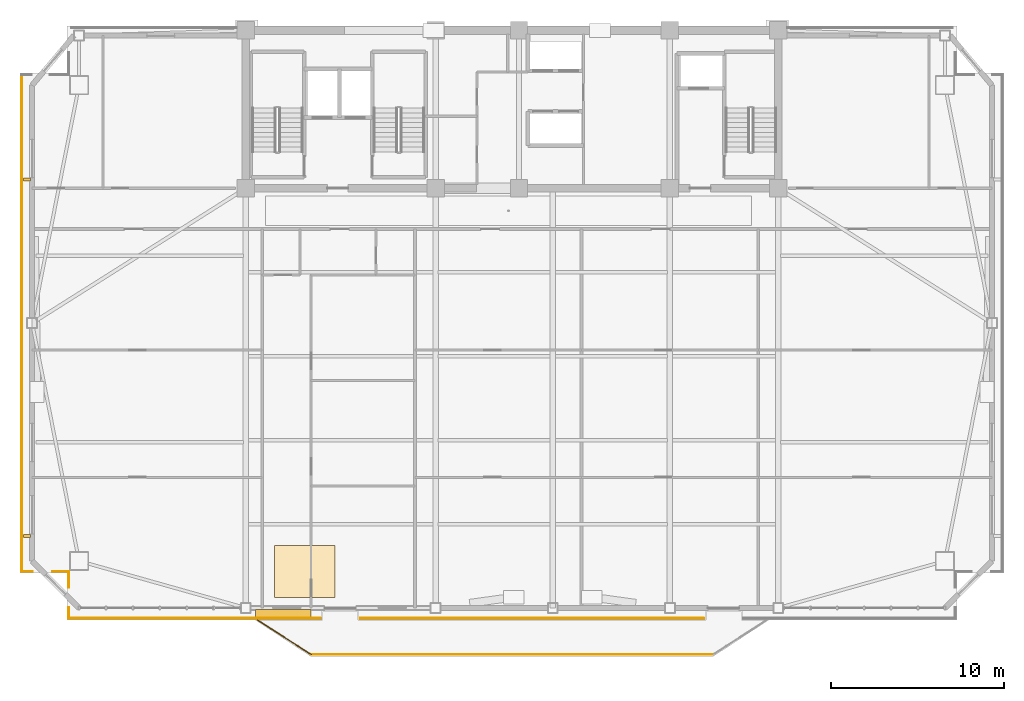
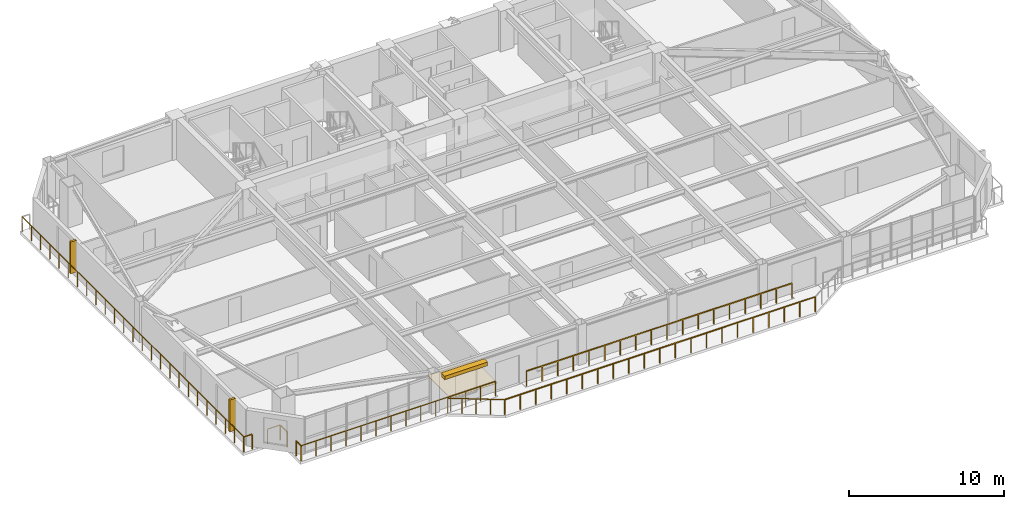
# One storey, part 13 of 16: 9 railings, 3 shading devices, 1 covering.
"""IFC4 building model written with IfcOpenShell, lengths in metres."""

from ifc_helpers import new_model, si_unit, direction, frame, origin, origin_2d, place, context, subcontext, project, spatial, polyline, rectangle, outline, extrude, source, transform, mapped, material, layer, layer_set, type_object, element, save


model = new_model("IFC4")

# Units and contexts
model_context = context("Model", 3, precision=1e-05, world=origin(), true_north=direction((0.0, 1.0)))
body_context = subcontext(model_context, "Body", "Model", "MODEL_VIEW")
ifc_project = project(units=[si_unit("LENGTHUNIT", "METRE"), si_unit("AREAUNIT", "SQUARE_METRE"), si_unit("VOLUMEUNIT", "CUBIC_METRE"), si_unit("PLANEANGLEUNIT", "RADIAN"), si_unit("MASSUNIT", "GRAM", prefix="KILO")], contexts=[model_context])

# Site, building, storey
site_placement = place(None, origin())
site = spatial("IfcSite", under=ifc_project, at=site_placement, CompositionType="ELEMENT")
building_placement = place(site_placement, origin())
building = spatial("IfcBuilding", under=site, at=building_placement, Name="Giltprow Tower", CompositionType="ELEMENT")
storey_placement = place(building_placement, frame((0.0, 0.0, 230.39990234375)))
storey = spatial("IfcBuildingStorey", under=building, at=storey_placement, Name="L58", CompositionType="ELEMENT", Elevation=230.39990234375)

# Covering
ifc_material_1 = material(Name="Engineered oak", Category="wood")
ifc_layer = layer(ifc_material_1, 0.02490234375, Name="Engineered oak")
ifc_layer_set = layer_set([ifc_layer], Name="Engineered oak")
covering_type = type_object("IfcCoveringType", Name="COV-FLR-TIMBER", PredefinedType="FLOORING", material=ifc_layer_set)
covering_placement = place(storey_placement, origin())
element("IfcCovering", 1, at=covering_placement, inside=storey, type_object=covering_type, Name="L58 Residence Oak Parquet Flooring", PredefinedType="FLOORING", context=body_context, shape_type="SweptSolid", body=[
    extrude(outline(polyline([(21.5, 13.85009765625), (25.0, 13.85009765625), (25.0, 16.85009765625), (21.5, 16.85009765625), (21.5, 13.85009765625)])), origin(), (0.0, 0.0, 1.0), 0.025146484375),
])

# Railings
ifc_material_2 = material(Name="Anodized bronze", Category="metal")
railing_type = type_object("IfcRailingType", Name="RAIL-BALC-GUARD-1200", PredefinedType="BALUSTRADE", material=ifc_material_2)
railing_1_placement = place(storey_placement, frame((20.52001953125, 12.550048828125, 0.0)))
element("IfcRailing", 2, at=railing_1_placement, inside=storey, type_object=railing_type, Name="L58 Waterfront Balcony Balustrade Seg 1", PredefinedType="BALUSTRADE", context=body_context, shape_type="SweptSolid", body=[
    extrude(rectangle(XDim=0.048095703125, YDim=0.048095703125, at=origin_2d()), frame((0.0, 0.0, 1.17578125), z_axis=(0.84277487735, -0.538266203757, 0.0), x_axis=(0.538266203757, 0.84277487735, 0.0)), (0.0, 0.0, 1.0), 3.678466796875),
    extrude(rectangle(XDim=0.0419921875, YDim=0.0419921875, at=origin_2d()), origin(), (0.0, 0.0, 1.0), 1.15185546875),
    extrude(rectangle(XDim=0.0419921875, YDim=0.0419921875, at=origin_2d()), frame((0.77490234375, -0.4951171875, 0.0)), (0.0, 0.0, 1.0), 1.15185546875),
    extrude(rectangle(XDim=0.0419921875, YDim=0.0419921875, at=origin_2d()), frame((1.550048828125, -0.989990234375, 0.0)), (0.0, 0.0, 1.0), 1.15185546875),
    extrude(rectangle(XDim=0.0419921875, YDim=0.0419921875, at=origin_2d()), frame((2.3251953125, -1.48486328125, 0.0)), (0.0, 0.0, 1.0), 1.15185546875),
    extrude(rectangle(XDim=0.0419921875, YDim=0.0419921875, at=origin_2d()), frame((3.10009765625, -1.97998046875, 0.0)), (0.0, 0.0, 1.0), 1.15185546875),
])
railing_2_placement = place(storey_placement, frame((23.6201171875, 10.570068359375, 0.0)))
element("IfcRailing", 3, at=railing_2_placement, inside=storey, type_object=railing_type, Name="L58 Waterfront Balcony Balustrade Seg 2", PredefinedType="BALUSTRADE", context=body_context, shape_type="SweptSolid", body=[
    extrude(rectangle(XDim=0.048095703125, YDim=0.048095703125, at=origin_2d()), frame((0.0, 0.0, 1.17578125), z_axis=(1.0, 0.0, 0.0), x_axis=(0.0, 1.0, 0.0)), (0.0, 0.0, 1.0), 23.159912109375),
    extrude(rectangle(XDim=0.0419921875, YDim=0.0419921875, at=origin_2d()), origin(), (0.0, 0.0, 1.0), 1.15185546875),
    extrude(rectangle(XDim=0.0419921875, YDim=0.0419921875, at=origin_2d()), frame((1.157958984375, 0.0, 0.0)), (0.0, 0.0, 1.0), 1.15185546875),
    extrude(rectangle(XDim=0.0419921875, YDim=0.0419921875, at=origin_2d()), frame((2.31591796875, 0.0, 0.0)), (0.0, 0.0, 1.0), 1.15185546875),
    extrude(rectangle(XDim=0.0419921875, YDim=0.0419921875, at=origin_2d()), frame((3.473876953125, 0.0, 0.0)), (0.0, 0.0, 1.0), 1.15185546875),
    extrude(rectangle(XDim=0.0419921875, YDim=0.0419921875, at=origin_2d()), frame((4.632080078125, 0.0, 0.0)), (0.0, 0.0, 1.0), 1.15185546875),
    extrude(rectangle(XDim=0.0419921875, YDim=0.0419921875, at=origin_2d()), frame((5.7900390625, 0.0, 0.0)), (0.0, 0.0, 1.0), 1.15185546875),
    extrude(rectangle(XDim=0.0419921875, YDim=0.0419921875, at=origin_2d()), frame((6.947998046875, 0.0, 0.0)), (0.0, 0.0, 1.0), 1.15185546875),
    extrude(rectangle(XDim=0.0419921875, YDim=0.0419921875, at=origin_2d()), frame((8.10595703125, 0.0, 0.0)), (0.0, 0.0, 1.0), 1.15185546875),
    extrude(rectangle(XDim=0.0419921875, YDim=0.0419921875, at=origin_2d()), frame((9.263916015625, 0.0, 0.0)), (0.0, 0.0, 1.0), 1.15185546875),
    extrude(rectangle(XDim=0.0419921875, YDim=0.0419921875, at=origin_2d()), frame((10.421875, 0.0, 0.0)), (0.0, 0.0, 1.0), 1.15185546875),
    extrude(rectangle(XDim=0.0419921875, YDim=0.0419921875, at=origin_2d()), frame((11.580078125, 0.0, 0.0)), (0.0, 0.0, 1.0), 1.15185546875),
    extrude(rectangle(XDim=0.0419921875, YDim=0.0419921875, at=origin_2d()), frame((12.738037109375, 0.0, 0.0)), (0.0, 0.0, 1.0), 1.15185546875),
    extrude(rectangle(XDim=0.0419921875, YDim=0.0419921875, at=origin_2d()), frame((13.89599609375, 0.0, 0.0)), (0.0, 0.0, 1.0), 1.15185546875),
    extrude(rectangle(XDim=0.0419921875, YDim=0.0419921875, at=origin_2d()), frame((15.053955078125, 0.0, 0.0)), (0.0, 0.0, 1.0), 1.15185546875),
    extrude(rectangle(XDim=0.0419921875, YDim=0.0419921875, at=origin_2d()), frame((16.2119140625, 0.0, 0.0)), (0.0, 0.0, 1.0), 1.15185546875),
    extrude(rectangle(XDim=0.0419921875, YDim=0.0419921875, at=origin_2d()), frame((17.369873046875, 0.0, 0.0)), (0.0, 0.0, 1.0), 1.15185546875),
    extrude(rectangle(XDim=0.0419921875, YDim=0.0419921875, at=origin_2d()), frame((18.52783203125, 0.0, 0.0)), (0.0, 0.0, 1.0), 1.15185546875),
    extrude(rectangle(XDim=0.0419921875, YDim=0.0419921875, at=origin_2d()), frame((19.68603515625, 0.0, 0.0)), (0.0, 0.0, 1.0), 1.15185546875),
    extrude(rectangle(XDim=0.0419921875, YDim=0.0419921875, at=origin_2d()), frame((20.843994140625, 0.0, 0.0)), (0.0, 0.0, 1.0), 1.15185546875),
    extrude(rectangle(XDim=0.0419921875, YDim=0.0419921875, at=origin_2d()), frame((22.001953125, 0.0, 0.0)), (0.0, 0.0, 1.0), 1.15185546875),
    extrude(rectangle(XDim=0.0419921875, YDim=0.0419921875, at=origin_2d()), frame((23.159912109375, 0.0, 0.0)), (0.0, 0.0, 1.0), 1.15185546875),
])
railing_3_placement = place(storey_placement, frame((46.25, 12.64990234375, 0.0)))
element("IfcRailing", 4, at=railing_3_placement, inside=storey, type_object=railing_type, Name="L58 Corner Apron Edge Balustrade 7", PredefinedType="BALUSTRADE", context=body_context, shape_type="SweptSolid", body=[
    extrude(rectangle(XDim=0.048095703125, YDim=0.048095703125, at=origin_2d()), frame((0.0, 0.0, 1.17578125), z_axis=(-1.0, 0.0, 0.0), x_axis=(0.0, -1.0, 0.0)), (0.0, 0.0, 1.0), 19.800048828125),
    extrude(rectangle(XDim=0.0419921875, YDim=0.0419921875, at=origin_2d()), origin(), (0.0, 0.0, 1.0), 1.15185546875),
    extrude(rectangle(XDim=0.0419921875, YDim=0.0419921875, at=origin_2d()), frame((-1.164794921875, 0.0, 0.0)), (0.0, 0.0, 1.0), 1.15185546875),
    extrude(rectangle(XDim=0.0419921875, YDim=0.0419921875, at=origin_2d()), frame((-2.329345703125, 0.0, 0.0)), (0.0, 0.0, 1.0), 1.15185546875),
    extrude(rectangle(XDim=0.0419921875, YDim=0.0419921875, at=origin_2d()), frame((-3.494140625, 0.0, 0.0)), (0.0, 0.0, 1.0), 1.15185546875),
    extrude(rectangle(XDim=0.0419921875, YDim=0.0419921875, at=origin_2d()), frame((-4.658935546875, 0.0, 0.0)), (0.0, 0.0, 1.0), 1.15185546875),
    extrude(rectangle(XDim=0.0419921875, YDim=0.0419921875, at=origin_2d()), frame((-5.823486328125, 0.0, 0.0)), (0.0, 0.0, 1.0), 1.15185546875),
    extrude(rectangle(XDim=0.0419921875, YDim=0.0419921875, at=origin_2d()), frame((-6.98828125, 0.0, 0.0)), (0.0, 0.0, 1.0), 1.15185546875),
    extrude(rectangle(XDim=0.0419921875, YDim=0.0419921875, at=origin_2d()), frame((-8.153076171875, 0.0, 0.0)), (0.0, 0.0, 1.0), 1.15185546875),
    extrude(rectangle(XDim=0.0419921875, YDim=0.0419921875, at=origin_2d()), frame((-9.317626953125, 0.0, 0.0)), (0.0, 0.0, 1.0), 1.15185546875),
    extrude(rectangle(XDim=0.0419921875, YDim=0.0419921875, at=origin_2d()), frame((-10.482421875, 0.0, 0.0)), (0.0, 0.0, 1.0), 1.15185546875),
    extrude(rectangle(XDim=0.0419921875, YDim=0.0419921875, at=origin_2d()), frame((-11.64697265625, 0.0, 0.0)), (0.0, 0.0, 1.0), 1.15185546875),
    extrude(rectangle(XDim=0.0419921875, YDim=0.0419921875, at=origin_2d()), frame((-12.811767578125, 0.0, 0.0)), (0.0, 0.0, 1.0), 1.15185546875),
    extrude(rectangle(XDim=0.0419921875, YDim=0.0419921875, at=origin_2d()), frame((-13.9765625, 0.0, 0.0)), (0.0, 0.0, 1.0), 1.15185546875),
    extrude(rectangle(XDim=0.0419921875, YDim=0.0419921875, at=origin_2d()), frame((-15.14111328125, 0.0, 0.0)), (0.0, 0.0, 1.0), 1.15185546875),
    extrude(rectangle(XDim=0.0419921875, YDim=0.0419921875, at=origin_2d()), frame((-16.305908203125, 0.0, 0.0)), (0.0, 0.0, 1.0), 1.15185546875),
    extrude(rectangle(XDim=0.0419921875, YDim=0.0419921875, at=origin_2d()), frame((-17.470703125, 0.0, 0.0)), (0.0, 0.0, 1.0), 1.15185546875),
    extrude(rectangle(XDim=0.0419921875, YDim=0.0419921875, at=origin_2d()), frame((-18.63525390625, 0.0, 0.0)), (0.0, 0.0, 1.0), 1.15185546875),
    extrude(rectangle(XDim=0.0419921875, YDim=0.0419921875, at=origin_2d()), frame((-19.800048828125, 0.0, 0.0)), (0.0, 0.0, 1.0), 1.15185546875),
])
railing_4_placement = place(storey_placement, frame((24.14990234375, 12.64990234375, 0.0)))
element("IfcRailing", 5, at=railing_4_placement, inside=storey, type_object=railing_type, Name="L58 Corner Apron Edge Balustrade 8", PredefinedType="BALUSTRADE", context=body_context, shape_type="SweptSolid", body=[
    extrude(rectangle(XDim=0.048095703125, YDim=0.048095703125, at=origin_2d()), frame((0.0, 0.0, 1.17578125), z_axis=(-1.0, 0.0, 0.0), x_axis=(0.0, -1.0, 0.0)), (0.0, 0.0, 1.0), 14.510009765625),
    extrude(rectangle(XDim=0.0419921875, YDim=0.0419921875, at=origin_2d()), origin(), (0.0, 0.0, 1.0), 1.15185546875),
    extrude(rectangle(XDim=0.0419921875, YDim=0.0419921875, at=origin_2d()), frame((-1.1162109375, 0.0, 0.0)), (0.0, 0.0, 1.0), 1.15185546875),
    extrude(rectangle(XDim=0.0419921875, YDim=0.0419921875, at=origin_2d()), frame((-2.232421875, 0.0, 0.0)), (0.0, 0.0, 1.0), 1.15185546875),
    extrude(rectangle(XDim=0.0419921875, YDim=0.0419921875, at=origin_2d()), frame((-3.348388671875, 0.0, 0.0)), (0.0, 0.0, 1.0), 1.15185546875),
    extrude(rectangle(XDim=0.0419921875, YDim=0.0419921875, at=origin_2d()), frame((-4.464599609375, 0.0, 0.0)), (0.0, 0.0, 1.0), 1.15185546875),
    extrude(rectangle(XDim=0.0419921875, YDim=0.0419921875, at=origin_2d()), frame((-5.580810546875, 0.0, 0.0)), (0.0, 0.0, 1.0), 1.15185546875),
    extrude(rectangle(XDim=0.0419921875, YDim=0.0419921875, at=origin_2d()), frame((-6.697021484375, 0.0, 0.0)), (0.0, 0.0, 1.0), 1.15185546875),
    extrude(rectangle(XDim=0.0419921875, YDim=0.0419921875, at=origin_2d()), frame((-7.81298828125, 0.0, 0.0)), (0.0, 0.0, 1.0), 1.15185546875),
    extrude(rectangle(XDim=0.0419921875, YDim=0.0419921875, at=origin_2d()), frame((-8.92919921875, 0.0, 0.0)), (0.0, 0.0, 1.0), 1.15185546875),
    extrude(rectangle(XDim=0.0419921875, YDim=0.0419921875, at=origin_2d()), frame((-10.04541015625, 0.0, 0.0)), (0.0, 0.0, 1.0), 1.15185546875),
    extrude(rectangle(XDim=0.0419921875, YDim=0.0419921875, at=origin_2d()), frame((-11.16162109375, 0.0, 0.0)), (0.0, 0.0, 1.0), 1.15185546875),
    extrude(rectangle(XDim=0.0419921875, YDim=0.0419921875, at=origin_2d()), frame((-12.277587890625, 0.0, 0.0)), (0.0, 0.0, 1.0), 1.15185546875),
    extrude(rectangle(XDim=0.0419921875, YDim=0.0419921875, at=origin_2d()), frame((-13.393798828125, 0.0, 0.0)), (0.0, 0.0, 1.0), 1.15185546875),
    extrude(rectangle(XDim=0.0419921875, YDim=0.0419921875, at=origin_2d()), frame((-14.510009765625, 0.0, 0.0)), (0.0, 0.0, 1.0), 1.15185546875),
])
railing_5_placement = place(storey_placement, frame((9.639892578125, 12.64990234375, 0.0)))
element("IfcRailing", 6, at=railing_5_placement, inside=storey, type_object=railing_type, Name="L58 Corner Apron Edge Balustrade 9", PredefinedType="BALUSTRADE", context=body_context, shape_type="SweptSolid", body=[
    extrude(rectangle(XDim=0.048095703125, YDim=0.048095703125, at=origin_2d()), frame((0.0, 0.0, 1.17578125), z_axis=(0.0, 1.0, 0.0), x_axis=(-1.0, 0.0, 0.0)), (0.0, 0.0, 1.0), 0.6201171875),
    extrude(rectangle(XDim=0.0419921875, YDim=0.0419921875, at=origin_2d()), origin(), (0.0, 0.0, 1.0), 1.15185546875),
    extrude(rectangle(XDim=0.0419921875, YDim=0.0419921875, at=origin_2d()), frame((0.0, 0.6201171875, 0.0)), (0.0, 0.0, 1.0), 1.15185546875),
])
railing_6_placement = place(storey_placement, frame((9.639892578125, 14.429931640625, 0.0)))
element("IfcRailing", 7, at=railing_6_placement, inside=storey, type_object=railing_type, Name="L58 Corner Apron Edge Balustrade 10", PredefinedType="BALUSTRADE", context=body_context, shape_type="SweptSolid", body=[
    extrude(rectangle(XDim=0.048095703125, YDim=0.048095703125, at=origin_2d()), frame((0.0, 0.0, 1.17578125), z_axis=(0.0, 1.0, 0.0), x_axis=(-1.0, 0.0, 0.0)), (0.0, 0.0, 1.0), 0.927001953125),
    extrude(rectangle(XDim=0.0419921875, YDim=0.0419921875, at=origin_2d()), origin(), (0.0, 0.0, 1.0), 1.15185546875),
    extrude(rectangle(XDim=0.0419921875, YDim=0.0419921875, at=origin_2d()), frame((0.0, 0.927001953125, 0.0)), (0.0, 0.0, 1.0), 1.15185546875),
])
railing_7_placement = place(storey_placement, frame((9.639892578125, 15.35693359375, 0.0)))
element("IfcRailing", 8, at=railing_7_placement, inside=storey, type_object=railing_type, Name="L58 Corner Apron Edge Balustrade 11", PredefinedType="BALUSTRADE", context=body_context, shape_type="SweptSolid", body=[
    extrude(rectangle(XDim=0.048095703125, YDim=0.048095703125, at=origin_2d()), frame((0.0, 0.0, 1.17578125), z_axis=(-1.0, 0.0, 0.0), x_axis=(0.0, -1.0, 0.0)), (0.0, 0.0, 1.0), 0.927001953125),
    extrude(rectangle(XDim=0.0419921875, YDim=0.0419921875, at=origin_2d()), origin(), (0.0, 0.0, 1.0), 1.15185546875),
    extrude(rectangle(XDim=0.0419921875, YDim=0.0419921875, at=origin_2d()), frame((-0.927001953125, 0.0, 0.0)), (0.0, 0.0, 1.0), 1.15185546875),
])
railing_8_placement = place(storey_placement, frame((7.552978515625, 15.35693359375, 0.0)))
element("IfcRailing", 9, at=railing_8_placement, inside=storey, type_object=railing_type, Name="L58 Corner Apron Edge Balustrade 12", PredefinedType="BALUSTRADE", context=body_context, shape_type="SweptSolid", body=[
    extrude(rectangle(XDim=0.048095703125, YDim=0.048095703125, at=origin_2d()), frame((0.0, 0.0, 1.17578125), z_axis=(-1.0, 0.0, 0.0), x_axis=(0.0, -1.0, 0.0)), (0.0, 0.0, 1.0), 0.619873046875),
    extrude(rectangle(XDim=0.0419921875, YDim=0.0419921875, at=origin_2d()), origin(), (0.0, 0.0, 1.0), 1.15185546875),
    extrude(rectangle(XDim=0.0419921875, YDim=0.0419921875, at=origin_2d()), frame((-0.619873046875, 0.0, 0.0)), (0.0, 0.0, 1.0), 1.15185546875),
])
railing_9_placement = place(storey_placement, frame((6.93310546875, 15.35693359375, 0.0)))
element("IfcRailing", 10, at=railing_9_placement, inside=storey, type_object=railing_type, Name="L58 Corner Apron Edge Balustrade 13", PredefinedType="BALUSTRADE", context=body_context, shape_type="SweptSolid", body=[
    extrude(rectangle(XDim=0.048095703125, YDim=0.048095703125, at=origin_2d()), frame((0.0, 0.0, 1.17578125), z_axis=(0.0, 1.0, 0.0), x_axis=(-1.0, 0.0, 0.0)), (0.0, 0.0, 1.0), 28.635986328125),
    extrude(rectangle(XDim=0.0419921875, YDim=0.0419921875, at=origin_2d()), origin(), (0.0, 0.0, 1.0), 1.15185546875),
    extrude(rectangle(XDim=0.0419921875, YDim=0.0419921875, at=origin_2d()), frame((0.0, 1.193115234375, 0.0)), (0.0, 0.0, 1.0), 1.15185546875),
    extrude(rectangle(XDim=0.0419921875, YDim=0.0419921875, at=origin_2d()), frame((0.0, 2.38623046875, 0.0)), (0.0, 0.0, 1.0), 1.15185546875),
    extrude(rectangle(XDim=0.0419921875, YDim=0.0419921875, at=origin_2d()), frame((0.0, 3.57958984375, 0.0)), (0.0, 0.0, 1.0), 1.15185546875),
    extrude(rectangle(XDim=0.0419921875, YDim=0.0419921875, at=origin_2d()), frame((0.0, 4.772705078125, 0.0)), (0.0, 0.0, 1.0), 1.15185546875),
    extrude(rectangle(XDim=0.0419921875, YDim=0.0419921875, at=origin_2d()), frame((0.0, 5.9658203125, 0.0)), (0.0, 0.0, 1.0), 1.15185546875),
    extrude(rectangle(XDim=0.0419921875, YDim=0.0419921875, at=origin_2d()), frame((0.0, 7.158935546875, 0.0)), (0.0, 0.0, 1.0), 1.15185546875),
    extrude(rectangle(XDim=0.0419921875, YDim=0.0419921875, at=origin_2d()), frame((0.0, 8.35205078125, 0.0)), (0.0, 0.0, 1.0), 1.15185546875),
    extrude(rectangle(XDim=0.0419921875, YDim=0.0419921875, at=origin_2d()), frame((0.0, 9.54541015625, 0.0)), (0.0, 0.0, 1.0), 1.15185546875),
    extrude(rectangle(XDim=0.0419921875, YDim=0.0419921875, at=origin_2d()), frame((0.0, 10.738525390625, 0.0)), (0.0, 0.0, 1.0), 1.15185546875),
    extrude(rectangle(XDim=0.0419921875, YDim=0.0419921875, at=origin_2d()), frame((0.0, 11.931640625, 0.0)), (0.0, 0.0, 1.0), 1.15185546875),
    extrude(rectangle(XDim=0.0419921875, YDim=0.0419921875, at=origin_2d()), frame((0.0, 13.124755859375, 0.0)), (0.0, 0.0, 1.0), 1.15185546875),
    extrude(rectangle(XDim=0.0419921875, YDim=0.0419921875, at=origin_2d()), frame((0.0, 14.31787109375, 0.0)), (0.0, 0.0, 1.0), 1.15185546875),
    extrude(rectangle(XDim=0.0419921875, YDim=0.0419921875, at=origin_2d()), frame((0.0, 15.51123046875, 0.0)), (0.0, 0.0, 1.0), 1.15185546875),
    extrude(rectangle(XDim=0.0419921875, YDim=0.0419921875, at=origin_2d()), frame((0.0, 16.704345703125, 0.0)), (0.0, 0.0, 1.0), 1.15185546875),
    extrude(rectangle(XDim=0.0419921875, YDim=0.0419921875, at=origin_2d()), frame((0.0, 17.8974609375, 0.0)), (0.0, 0.0, 1.0), 1.15185546875),
    extrude(rectangle(XDim=0.0419921875, YDim=0.0419921875, at=origin_2d()), frame((0.0, 19.090576171875, 0.0)), (0.0, 0.0, 1.0), 1.15185546875),
    extrude(rectangle(XDim=0.0419921875, YDim=0.0419921875, at=origin_2d()), frame((0.0, 20.283935546875, 0.0)), (0.0, 0.0, 1.0), 1.15185546875),
    extrude(rectangle(XDim=0.0419921875, YDim=0.0419921875, at=origin_2d()), frame((0.0, 21.47705078125, 0.0)), (0.0, 0.0, 1.0), 1.15185546875),
    extrude(rectangle(XDim=0.0419921875, YDim=0.0419921875, at=origin_2d()), frame((0.0, 22.670166015625, 0.0)), (0.0, 0.0, 1.0), 1.15185546875),
    extrude(rectangle(XDim=0.0419921875, YDim=0.0419921875, at=origin_2d()), frame((0.0, 23.86328125, 0.0)), (0.0, 0.0, 1.0), 1.15185546875),
    extrude(rectangle(XDim=0.0419921875, YDim=0.0419921875, at=origin_2d()), frame((0.0, 25.056396484375, 0.0)), (0.0, 0.0, 1.0), 1.15185546875),
    extrude(rectangle(XDim=0.0419921875, YDim=0.0419921875, at=origin_2d()), frame((0.0, 26.249755859375, 0.0)), (0.0, 0.0, 1.0), 1.15185546875),
    extrude(rectangle(XDim=0.0419921875, YDim=0.0419921875, at=origin_2d()), frame((0.0, 27.44287109375, 0.0)), (0.0, 0.0, 1.0), 1.15185546875),
    extrude(rectangle(XDim=0.0419921875, YDim=0.0419921875, at=origin_2d()), frame((0.0, 28.635986328125, 0.0)), (0.0, 0.0, 1.0), 1.15185546875),
])

# Shading devices
shading_device_type_1 = type_object("IfcShadingDeviceType", Name="SHD-FIN-420", PredefinedType="USERDEFINED", material=ifc_material_2)
shared_shape_1 = source(origin(), body_context, "Body", "SweptSolid", [
    extrude(rectangle(XDim=0.419921875, YDim=0.159912109375, at=origin_2d()), origin(), (0.0, 0.0, 1.0), 2.5),
])
for number, where, z_axis, x_axis, name in (
    (11, (7.23291015625, 17.404052734375, 0.35009765625), (0.0, 0.0, 1.0), (1.0, 0.0, 0.0), "L58 W Bronze Vertical Fin 1-1"),
    (12, (7.23291015625, 37.947998046875, 0.35009765625), (0.0, 0.0, 1.0), (1.0, 0.0, 0.0), "L58 W Bronze Vertical Fin 2-1"),
):
    element("IfcShadingDevice", number, at=place(storey_placement, frame(where, z_axis=z_axis, x_axis=x_axis)), inside=storey, type_object=shading_device_type_1, Name=name, ObjectType="FIN", PredefinedType="USERDEFINED", context=body_context, shape_type="MappedRepresentation", body=[
        mapped(shared_shape_1, transform((0.0, 0.0, 0.0), x_axis=(1.0, 0.0, 0.0), y_axis=(0.0, 1.0, 0.0), z_axis=(0.0, 0.0, 1.0), scale=1.0)),
    ])
shading_device_type_2 = type_object("IfcShadingDeviceType", Name="SHD-LOUVRE-320", PredefinedType="JALOUSIE", material=ifc_material_2)
shared_shape_2 = source(origin(), body_context, "Body", "SweptSolid", [
    extrude(rectangle(XDim=3.199951171875, YDim=0.449951171875, at=origin_2d()), origin(), (0.0, 0.0, 1.0), 0.280029296875),
])
shading_device_placement = place(storey_placement, frame((22.0, 12.949951171875, 2.56005859375), z_axis=(0.0, 0.0, 1.0), x_axis=(1.0, 0.0, 0.0)))
element("IfcShadingDevice", 13, at=shading_device_placement, inside=storey, type_object=shading_device_type_2, Name="L58 Bronze Sunshade Louvre S-2", PredefinedType="JALOUSIE", context=body_context, shape_type="MappedRepresentation", body=[
    mapped(shared_shape_2, transform((0.0, 0.0, 0.0), x_axis=(1.0, 0.0, 0.0), y_axis=(0.0, 1.0, 0.0), z_axis=(0.0, 0.0, 1.0), scale=1.0)),
])

save(model, "model.ifc")
